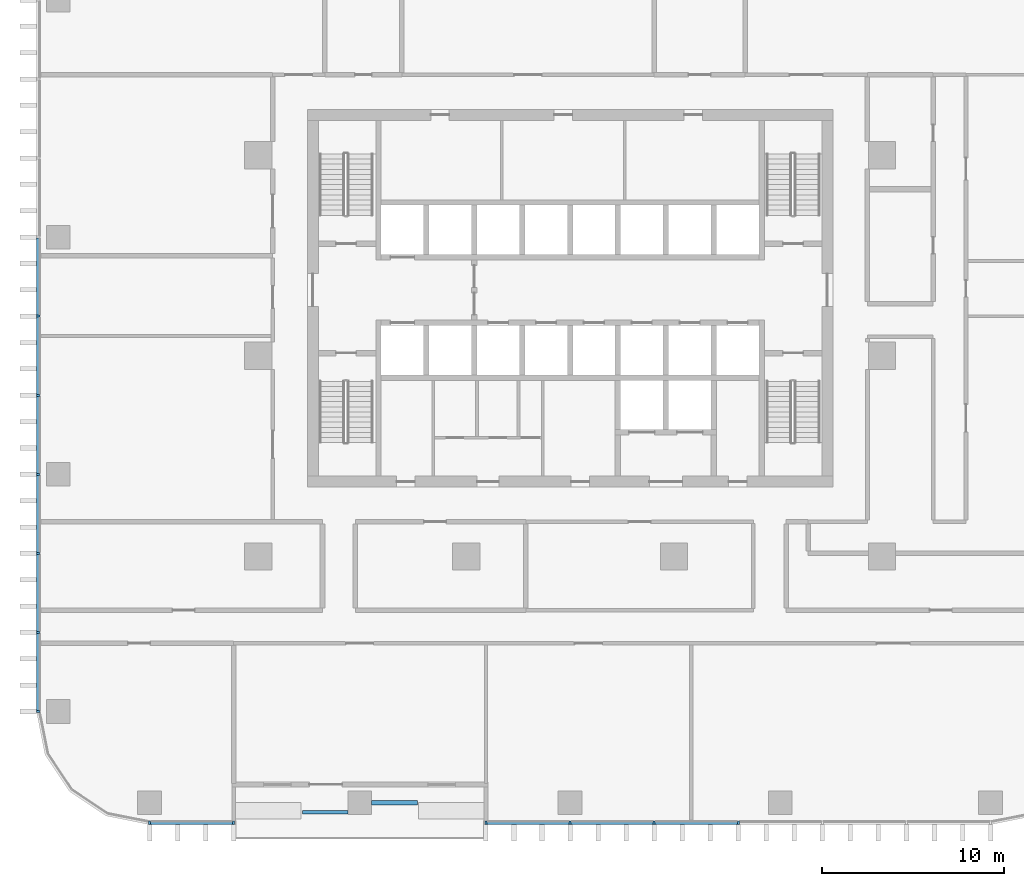
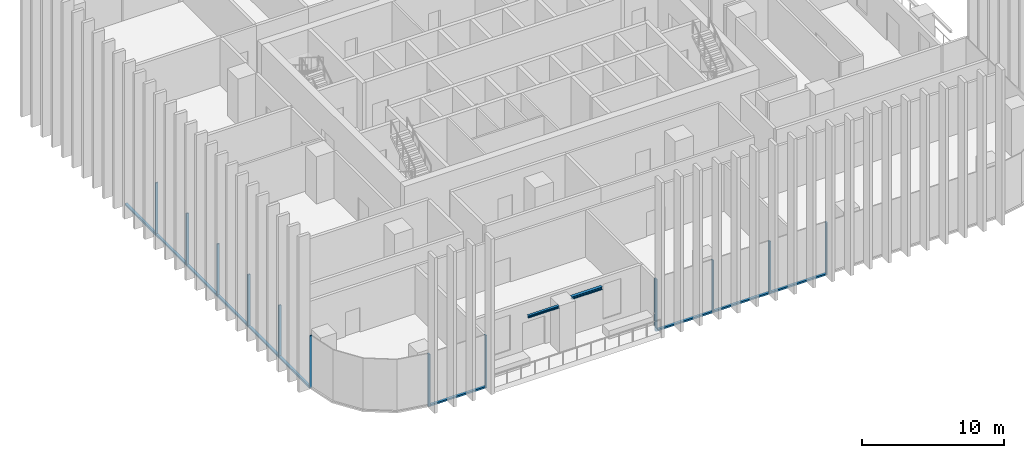
# One storey, part 2 of 17: 22 members, 2 beams, 3 elements without a shape of their own.
"""IFC4 building model written with IfcOpenShell, lengths in metres."""

from ifc_helpers import new_model, si_unit, direction, frame, origin, origin_2d, place, context, subcontext, project, spatial, rectangle, i_section, extrude, material, material_profile, profile_set, type_object, element, aggregate, save


model = new_model("IFC4")

# Units and contexts
model_context = context("Model", 3, precision=1e-05, world=origin(), true_north=direction((0.0, 1.0)))
body_context = subcontext(model_context, "Body", "Model", "MODEL_VIEW")
ifc_project = project(units=[si_unit("LENGTHUNIT", "METRE"), si_unit("AREAUNIT", "SQUARE_METRE"), si_unit("VOLUMEUNIT", "CUBIC_METRE"), si_unit("PLANEANGLEUNIT", "RADIAN"), si_unit("MASSUNIT", "GRAM", prefix="KILO")], contexts=[model_context])

# Site, building, storey
site_placement = place(None, origin())
site = spatial("IfcSite", under=ifc_project, at=site_placement, CompositionType="ELEMENT")
building_placement = place(site_placement, origin())
building = spatial("IfcBuilding", under=site, at=building_placement, Name="Mopane Tessera Tower", CompositionType="ELEMENT")
storey_placement = place(building_placement, frame((0.0, 0.0, 135.10009765625)))
storey = spatial("IfcBuildingStorey", under=building, at=storey_placement, Name="L27", CompositionType="ELEMENT", Elevation=135.10009765625)

# Curtain wall, members
ifc_material_1 = material(Name="Aluminium frame", Category="aluminium")
curtain_wall_type = type_object("IfcCurtainWallType", Name="Lower tower unitised wall", PredefinedType="NOTDEFINED", material=ifc_material_1)
curtain_wall_1_placement = place(storey_placement, origin())
curtain_wall_1 = element("IfcCurtainWall", 1, at=curtain_wall_1_placement, inside=storey, type_object=curtain_wall_type, Name="e:cw:L27:S:0", PredefinedType="NOTDEFINED")
ifc_material_2 = material(Name="Aluminium frame", Category="aluminium")
ifc_material_profile_1 = material_profile(ifc_material_2, rectangle(XDim=0.110107421875, YDim=0.199951171875, at=origin_2d()))
ifc_profile_set_1 = profile_set([ifc_material_profile_1], Name="Aluminium frame")
member_type_1 = type_object("IfcMemberType", Name="Aluminium mullion 110 x 200", PredefinedType="MULLION", material=ifc_profile_set_1)
member_1_placement = place(storey_placement, frame((-23.050048828125, -25.60009765625, -0.4501953125), z_axis=(0.0, 0.0, 1.0), x_axis=(1.0, 0.0, 0.0)))
member_1 = element("IfcMember", 2, at=member_1_placement, type_object=member_type_1, Name="e:cw:L27:S:0:mu0", PredefinedType="MULLION", context=body_context, shape_type="SweptSolid", body=[
    extrude(rectangle(XDim=0.110107421875, YDim=0.199951171875, at=origin_2d()), origin(), (0.0, 0.0, 1.0), 4.5),
])
member_2_placement = place(storey_placement, frame((-18.43994140625, -25.60009765625, -0.4501953125), z_axis=(0.0, 0.0, 1.0), x_axis=(1.0, 0.0, 0.0)))
member_2 = element("IfcMember", 3, at=member_2_placement, type_object=member_type_1, Name="e:cw:L27:S:0:mu1", PredefinedType="MULLION", context=body_context, shape_type="SweptSolid", body=[
    extrude(rectangle(XDim=0.110107421875, YDim=0.199951171875, at=origin_2d()), origin(), (0.0, 0.0, 1.0), 4.5),
])

curtain_wall_2_placement = place(storey_placement, origin())
curtain_wall_2 = element("IfcCurtainWall", 4, at=curtain_wall_2_placement, inside=storey, type_object=curtain_wall_type, Name="e:cw:L27:S:4", PredefinedType="NOTDEFINED")
member_3_placement = place(storey_placement, frame((-4.610107421875, -25.60009765625, -0.4501953125), z_axis=(0.0, 0.0, 1.0), x_axis=(1.0, 0.0, 0.0)))
member_3 = element("IfcMember", 5, at=member_3_placement, type_object=member_type_1, Name="e:cw:L27:S:4:mu4", PredefinedType="MULLION", context=body_context, shape_type="SweptSolid", body=[
    extrude(rectangle(XDim=0.110107421875, YDim=0.199951171875, at=origin_2d()), origin(), (0.0, 0.0, 1.0), 4.5),
])
member_4_placement = place(storey_placement, frame((0.0, -25.60009765625, -0.4501953125), z_axis=(0.0, 0.0, 1.0), x_axis=(1.0, 0.0, 0.0)))
member_4 = element("IfcMember", 6, at=member_4_placement, type_object=member_type_1, Name="e:cw:L27:S:4:mu5", PredefinedType="MULLION", context=body_context, shape_type="SweptSolid", body=[
    extrude(rectangle(XDim=0.110107421875, YDim=0.199951171875, at=origin_2d()), origin(), (0.0, 0.0, 1.0), 4.5),
])
member_5_placement = place(storey_placement, frame((4.610107421875, -25.60009765625, -0.4501953125), z_axis=(0.0, 0.0, 1.0), x_axis=(1.0, 0.0, 0.0)))
member_5 = element("IfcMember", 7, at=member_5_placement, type_object=member_type_1, Name="e:cw:L27:S:4:mu6", PredefinedType="MULLION", context=body_context, shape_type="SweptSolid", body=[
    extrude(rectangle(XDim=0.110107421875, YDim=0.199951171875, at=origin_2d()), origin(), (0.0, 0.0, 1.0), 4.5),
])
member_6_placement = place(storey_placement, frame((9.219970703125, -25.60009765625, -0.4501953125), z_axis=(0.0, 0.0, 1.0), x_axis=(1.0, 0.0, 0.0)))
member_6 = element("IfcMember", 8, at=member_6_placement, type_object=member_type_1, Name="e:cw:L27:S:4:mu7", PredefinedType="MULLION", context=body_context, shape_type="SweptSolid", body=[
    extrude(rectangle(XDim=0.110107421875, YDim=0.199951171875, at=origin_2d()), origin(), (0.0, 0.0, 1.0), 4.5),
])

curtain_wall_3_placement = place(storey_placement, origin())
curtain_wall_3 = element("IfcCurtainWall", 9, at=curtain_wall_3_placement, inside=storey, type_object=curtain_wall_type, Name="e:cw:L27:W:0", PredefinedType="NOTDEFINED")
member_7_placement = place(storey_placement, frame((-29.14990234375, 2.166748046875, -0.4501953125), z_axis=(0.0, 0.0, 1.0), x_axis=(0.0, -1.0, 0.0)))
member_7 = element("IfcMember", 10, at=member_7_placement, type_object=member_type_1, Name="e:cw:L27:W:0:mu4", PredefinedType="MULLION", context=body_context, shape_type="SweptSolid", body=[
    extrude(rectangle(XDim=0.110107421875, YDim=0.199951171875, at=origin_2d()), origin(), (0.0, 0.0, 1.0), 4.5),
])
member_8_placement = place(storey_placement, frame((-29.14990234375, -2.166748046875, -0.4501953125), z_axis=(0.0, 0.0, 1.0), x_axis=(0.0, -1.0, 0.0)))
member_8 = element("IfcMember", 11, at=member_8_placement, type_object=member_type_1, Name="e:cw:L27:W:0:mu5", PredefinedType="MULLION", context=body_context, shape_type="SweptSolid", body=[
    extrude(rectangle(XDim=0.110107421875, YDim=0.199951171875, at=origin_2d()), origin(), (0.0, 0.0, 1.0), 4.5),
])
member_9_placement = place(storey_placement, frame((-29.14990234375, -6.5, -0.4501953125), z_axis=(0.0, 0.0, 1.0), x_axis=(0.0, -1.0, 0.0)))
member_9 = element("IfcMember", 12, at=member_9_placement, type_object=member_type_1, Name="e:cw:L27:W:0:mu6", PredefinedType="MULLION", context=body_context, shape_type="SweptSolid", body=[
    extrude(rectangle(XDim=0.110107421875, YDim=0.199951171875, at=origin_2d()), origin(), (0.0, 0.0, 1.0), 4.5),
])
member_10_placement = place(storey_placement, frame((-29.14990234375, -10.833251953125, -0.4501953125), z_axis=(0.0, 0.0, 1.0), x_axis=(0.0, -1.0, 0.0)))
member_10 = element("IfcMember", 13, at=member_10_placement, type_object=member_type_1, Name="e:cw:L27:W:0:mu7", PredefinedType="MULLION", context=body_context, shape_type="SweptSolid", body=[
    extrude(rectangle(XDim=0.110107421875, YDim=0.199951171875, at=origin_2d()), origin(), (0.0, 0.0, 1.0), 4.5),
])
member_11_placement = place(storey_placement, frame((-29.14990234375, -15.166748046875, -0.4501953125), z_axis=(0.0, 0.0, 1.0), x_axis=(0.0, -1.0, 0.0)))
member_11 = element("IfcMember", 14, at=member_11_placement, type_object=member_type_1, Name="e:cw:L27:W:0:mu8", PredefinedType="MULLION", context=body_context, shape_type="SweptSolid", body=[
    extrude(rectangle(XDim=0.110107421875, YDim=0.199951171875, at=origin_2d()), origin(), (0.0, 0.0, 1.0), 4.5),
])
member_12_placement = place(storey_placement, frame((-29.14990234375, -19.5, -0.4501953125), z_axis=(0.0, 0.0, 1.0), x_axis=(0.0, -1.0, 0.0)))
member_12 = element("IfcMember", 15, at=member_12_placement, type_object=member_type_1, Name="e:cw:L27:W:0:mu9", PredefinedType="MULLION", context=body_context, shape_type="SweptSolid", body=[
    extrude(rectangle(XDim=0.110107421875, YDim=0.199951171875, at=origin_2d()), origin(), (0.0, 0.0, 1.0), 4.5),
])

# Member
ifc_material_3 = material(Name="Aluminium frame", Category="aluminium")
ifc_material_profile_2 = material_profile(ifc_material_3, rectangle(XDim=0.199951171875, YDim=0.139892578125, at=origin_2d()))
ifc_profile_set_2 = profile_set([ifc_material_profile_2], Name="Aluminium frame")
member_type_2 = type_object("IfcMemberType", Name="Aluminium transom 200 x 140", PredefinedType="USERDEFINED", material=ifc_profile_set_2)
member_13_placement = place(storey_placement, frame((-22.9951171875, -25.60009765625, -0.380126953125), z_axis=(1.0, 0.0, 0.0), x_axis=(0.0, 1.0, 0.0)))
member_13 = element("IfcMember", 16, at=member_13_placement, type_object=member_type_2, Name="e:cw:L27:S:0:tr0", ObjectType="TRANSOM", PredefinedType="USERDEFINED", context=body_context, shape_type="SweptSolid", body=[
    extrude(rectangle(XDim=0.199951171875, YDim=0.139892578125, at=origin_2d()), origin(), (0.0, 0.0, 1.0), 4.5),
])

aggregate(curtain_wall_1, [member_1, member_2, member_13])

member_14_placement = place(storey_placement, frame((-4.554931640625, -25.60009765625, -0.380126953125), z_axis=(1.0, 0.0, 0.0), x_axis=(0.0, 1.0, 0.0)))
member_14 = element("IfcMember", 17, at=member_14_placement, type_object=member_type_2, Name="e:cw:L27:S:4:tr4", ObjectType="TRANSOM", PredefinedType="USERDEFINED", context=body_context, shape_type="SweptSolid", body=[
    extrude(rectangle(XDim=0.199951171875, YDim=0.139892578125, at=origin_2d()), origin(), (0.0, 0.0, 1.0), 4.5),
])

member_15_placement = place(storey_placement, frame((0.054931640625, -25.60009765625, -0.380126953125), z_axis=(1.0, 0.0, 0.0), x_axis=(0.0, 1.0, 0.0)))
member_15 = element("IfcMember", 18, at=member_15_placement, type_object=member_type_2, Name="e:cw:L27:S:4:tr5", ObjectType="TRANSOM", PredefinedType="USERDEFINED", context=body_context, shape_type="SweptSolid", body=[
    extrude(rectangle(XDim=0.199951171875, YDim=0.139892578125, at=origin_2d()), origin(), (0.0, 0.0, 1.0), 4.5),
])

member_16_placement = place(storey_placement, frame((4.6650390625, -25.60009765625, -0.380126953125), z_axis=(1.0, 0.0, 0.0), x_axis=(0.0, 1.0, 0.0)))
member_16 = element("IfcMember", 19, at=member_16_placement, type_object=member_type_2, Name="e:cw:L27:S:4:tr6", ObjectType="TRANSOM", PredefinedType="USERDEFINED", context=body_context, shape_type="SweptSolid", body=[
    extrude(rectangle(XDim=0.199951171875, YDim=0.139892578125, at=origin_2d()), origin(), (0.0, 0.0, 1.0), 4.5),
])

aggregate(curtain_wall_2, [member_3, member_4, member_5, member_6, member_14, member_15, member_16])

member_17_placement = place(storey_placement, frame((-29.14990234375, 6.445068359375, -0.380126953125), z_axis=(0.0, -1.0, 0.0), x_axis=(1.0, 0.0, 0.0)))
member_17 = element("IfcMember", 20, at=member_17_placement, type_object=member_type_2, Name="e:cw:L27:W:0:tr3", ObjectType="TRANSOM", PredefinedType="USERDEFINED", context=body_context, shape_type="SweptSolid", body=[
    extrude(rectangle(XDim=0.199951171875, YDim=0.139892578125, at=origin_2d()), origin(), (0.0, 0.0, 1.0), 4.223388671875),
])

member_18_placement = place(storey_placement, frame((-29.14990234375, 2.111572265625, -0.380126953125), z_axis=(0.0, -1.0, 0.0), x_axis=(1.0, 0.0, 0.0)))
member_18 = element("IfcMember", 21, at=member_18_placement, type_object=member_type_2, Name="e:cw:L27:W:0:tr4", ObjectType="TRANSOM", PredefinedType="USERDEFINED", context=body_context, shape_type="SweptSolid", body=[
    extrude(rectangle(XDim=0.199951171875, YDim=0.139892578125, at=origin_2d()), origin(), (0.0, 0.0, 1.0), 4.22314453125),
])

member_19_placement = place(storey_placement, frame((-29.14990234375, -2.2216796875, -0.380126953125), z_axis=(0.0, -1.0, 0.0), x_axis=(1.0, 0.0, 0.0)))
member_19 = element("IfcMember", 22, at=member_19_placement, type_object=member_type_2, Name="e:cw:L27:W:0:tr5", ObjectType="TRANSOM", PredefinedType="USERDEFINED", context=body_context, shape_type="SweptSolid", body=[
    extrude(rectangle(XDim=0.199951171875, YDim=0.139892578125, at=origin_2d()), origin(), (0.0, 0.0, 1.0), 4.223388671875),
])

member_20_placement = place(storey_placement, frame((-29.14990234375, -6.554931640625, -0.380126953125), z_axis=(0.0, -1.0, 0.0), x_axis=(1.0, 0.0, 0.0)))
member_20 = element("IfcMember", 23, at=member_20_placement, type_object=member_type_2, Name="e:cw:L27:W:0:tr6", ObjectType="TRANSOM", PredefinedType="USERDEFINED", context=body_context, shape_type="SweptSolid", body=[
    extrude(rectangle(XDim=0.199951171875, YDim=0.139892578125, at=origin_2d()), origin(), (0.0, 0.0, 1.0), 4.223388671875),
])

member_21_placement = place(storey_placement, frame((-29.14990234375, -10.888427734375, -0.380126953125), z_axis=(0.0, -1.0, 0.0), x_axis=(1.0, 0.0, 0.0)))
member_21 = element("IfcMember", 24, at=member_21_placement, type_object=member_type_2, Name="e:cw:L27:W:0:tr7", ObjectType="TRANSOM", PredefinedType="USERDEFINED", context=body_context, shape_type="SweptSolid", body=[
    extrude(rectangle(XDim=0.199951171875, YDim=0.139892578125, at=origin_2d()), origin(), (0.0, 0.0, 1.0), 4.22314453125),
])

member_22_placement = place(storey_placement, frame((-29.14990234375, -15.2216796875, -0.380126953125), z_axis=(0.0, -1.0, 0.0), x_axis=(1.0, 0.0, 0.0)))
member_22 = element("IfcMember", 25, at=member_22_placement, type_object=member_type_2, Name="e:cw:L27:W:0:tr8", ObjectType="TRANSOM", PredefinedType="USERDEFINED", context=body_context, shape_type="SweptSolid", body=[
    extrude(rectangle(XDim=0.199951171875, YDim=0.139892578125, at=origin_2d()), origin(), (0.0, 0.0, 1.0), 4.223388671875),
])

aggregate(curtain_wall_3, [member_7, member_8, member_9, member_10, member_11, member_12, member_17, member_18, member_19, member_20, member_21, member_22])

# Beams
ifc_material_4 = material(Name="Structural steel S460", Category="steel")
ifc_material_profile_3 = material_profile(ifc_material_4, i_section(OverallWidth=0.239990234375, OverallDepth=0.239990234375, WebThickness=0.010009765625, FlangeThickness=0.01708984375, FilletRadius=0.02099609375, at=origin_2d()))
ifc_profile_set_3 = profile_set([ifc_material_profile_3], Name="Structural steel S460")
beam_type_1 = type_object("IfcBeamType", Name="Terrace spandrel beam HE 240 B", PredefinedType="SPANDREL", material=ifc_profile_set_3)
beam_1_placement = place(storey_placement, frame((-10.871826171875, -24.5, 3.929931640625), z_axis=(1.0, 0.0, 0.0), x_axis=(0.0, 1.0, 0.0)))
element("IfcBeam", 26, at=beam_1_placement, inside=storey, type_object=beam_type_1, Name="Terrace spandrel beam N2 L28", PredefinedType="SPANDREL", context=body_context, shape_type="SweptSolid", body=[
    extrude(i_section(OverallWidth=0.239990234375, OverallDepth=0.239990234375, WebThickness=0.010009765625, FlangeThickness=0.01708984375, FilletRadius=0.02099609375, at=origin_2d()), origin(), (0.0, 0.0, 1.0), 2.5),
])
ifc_material_5 = material(Name="Structural steel S460", Category="steel")
ifc_material_profile_4 = material_profile(ifc_material_5, i_section(OverallWidth=0.199951171875, OverallDepth=0.199951171875, WebThickness=0.009033203125, FlangeThickness=0.014892578125, FilletRadius=0.01806640625, at=origin_2d()))
ifc_profile_set_4 = profile_set([ifc_material_profile_4], Name="Structural steel S460")
beam_type_2 = type_object("IfcBeamType", Name="Terrace trimmer beam HE 200 B", PredefinedType="BEAM", material=ifc_profile_set_4)
beam_2_placement = place(storey_placement, frame((-12.177978515625, -25.02001953125, 3.949951171875), z_axis=(-1.0, 0.0, 0.0), x_axis=(0.0, -1.0, 0.0)))
element("IfcBeam", 27, at=beam_2_placement, inside=storey, type_object=beam_type_2, Name="Terrace trimmer beam N2 L28", PredefinedType="BEAM", context=body_context, shape_type="SweptSolid", body=[
    extrude(i_section(OverallWidth=0.199951171875, OverallDepth=0.199951171875, WebThickness=0.009033203125, FlangeThickness=0.014892578125, FilletRadius=0.01806640625, at=origin_2d()), origin(), (0.0, 0.0, 1.0), 2.5),
])

save(model, "model.ifc")
